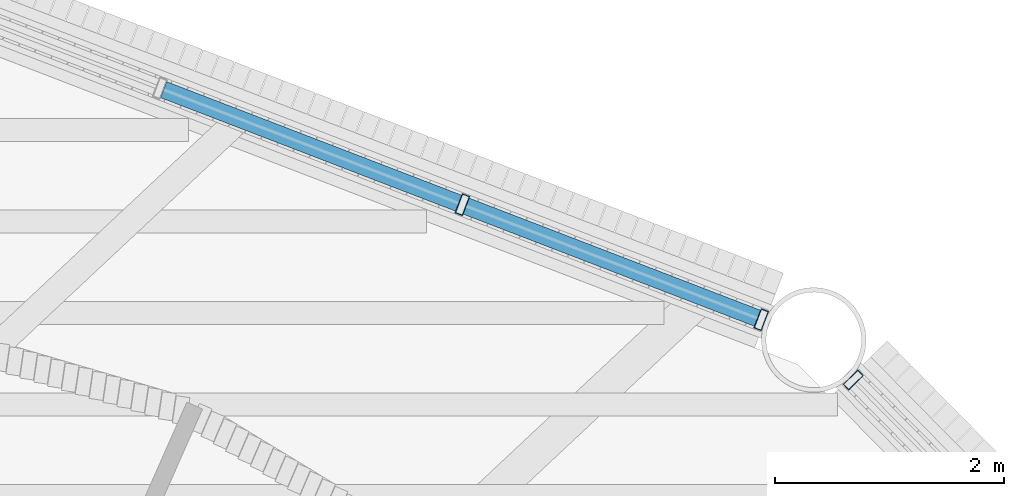
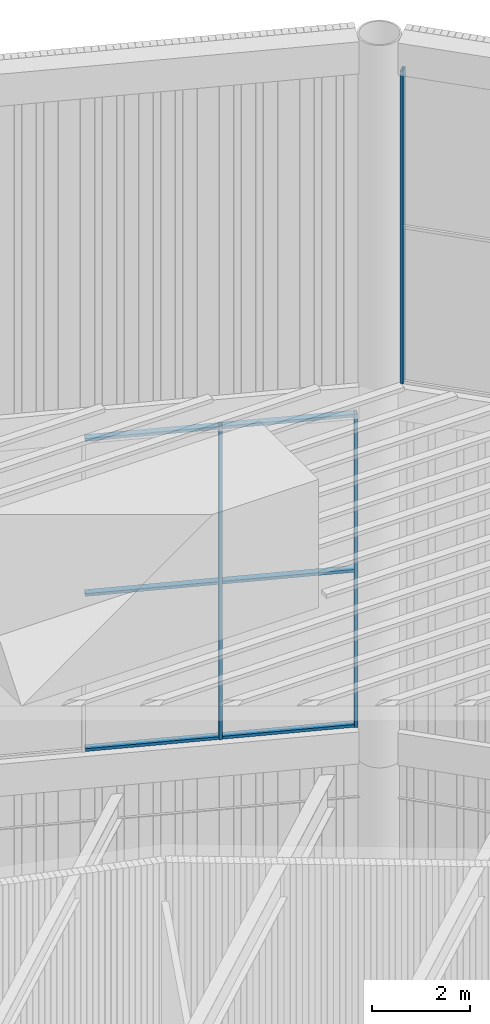
# One storey, part 61 of 117: 9 members, 2 elements without a shape of their own.
"""IFC4 building model written with IfcOpenShell, lengths in metres."""

import ifcopenshell
import ifcopenshell.guid

model = None  # the IFC model being written
_history = None  # IfcOwnerHistory: only IFC2X3 demands one
_inside = {}  # id of a spatial element -> (the spatial element, [elements in it])
_under = {}  # id of a project, library or spatial element -> (it, [spatial elements below it])
_declared = {}  # id of a project -> (the project, [libraries it declares])
_typed = {}  # id of a type object -> (the type object, [elements of that type])
_made_of = {}  # id of a material, layer set ... -> (it, [elements and type objects made of it])


def new_model(schema):
    """Start an empty IFC model of exactly this schema.

    Asked for "IFC4X3", IfcOpenShell would pick the latest addendum, in which some entities
    have other attributes; the version numbers below select the first issue.
    IFC2X3 requires an IfcOwnerHistory on every rooted entity: one is made here for all.
    """
    global model, _history
    if schema == "IFC4X3":
        model = ifcopenshell.file(schema_version=(4, 3, 0, 0))
    else:
        model = ifcopenshell.file(schema=schema)
    _inside.clear()
    _under.clear()
    _declared.clear()
    _typed.clear()
    _made_of.clear()
    _history = None
    if model.schema == "IFC2X3":
        org = make("IfcOrganization", Name="unknown")
        user = make(
            "IfcPersonAndOrganization",
            ThePerson=make("IfcPerson", FamilyName="unknown"),
            TheOrganization=org,
        )
        app = make(
            "IfcApplication",
            ApplicationDeveloper=org,
            Version="unknown",
            ApplicationFullName="unknown",
            ApplicationIdentifier="unknown",
        )
        _history = make(
            "IfcOwnerHistory",
            OwningUser=user,
            OwningApplication=app,
            ChangeAction="ADDED",
            CreationDate=0,
        )
    return model


def make(cls, **values):
    """One entity of the class cls with the attributes given. An attribute that is None is left unset."""
    return model.create_entity(
        cls, **{name: value for name, value in values.items() if value is not None}
    )


def rooted(cls, **values):
    """An entity with a GlobalId (a new one), such as an element, a storey or a relation."""
    return make(cls, GlobalId=ifcopenshell.guid.new(), OwnerHistory=_history, **values)


def si_unit(unit_type, name, prefix=None):
    """IfcSIUnit, for example si_unit("LENGTHUNIT", "METRE", prefix="MILLI")."""
    return make("IfcSIUnit", UnitType=unit_type, Prefix=prefix, Name=name)


def assignment(units):
    """IfcUnitAssignment: the units of a project."""
    return None if units is None else make("IfcUnitAssignment", Units=units)


def point(xyz):
    """IfcCartesianPoint."""
    return None if xyz is None else make("IfcCartesianPoint", Coordinates=xyz)


def direction(xyz):
    """IfcDirection."""
    return None if xyz is None else make("IfcDirection", DirectionRatios=xyz)


def frame(location, z_axis=None, x_axis=None):
    """IfcAxis2Placement3D, a coordinate frame: its origin and axes. An axis left out is left unset."""
    return make(
        "IfcAxis2Placement3D",
        Location=point(location),
        Axis=direction(z_axis),
        RefDirection=direction(x_axis),
    )


def frame_2d(location, x_axis=None):
    """IfcAxis2Placement2D, a coordinate frame in the plane: its origin and x axis."""
    return make(
        "IfcAxis2Placement2D", Location=point(location), RefDirection=direction(x_axis)
    )


def origin():
    """The frame at (0, 0, 0) with its axes left unset."""
    return frame((0.0, 0.0, 0.0))


def origin_2d():
    """The frame at (0, 0) in the plane with its x axis left unset."""
    return frame_2d((0.0, 0.0))


def place(relative_to, where):
    """IfcLocalPlacement: puts the frame where relative to a parent placement (None: the world)."""
    return make(
        "IfcLocalPlacement", PlacementRelTo=relative_to, RelativePlacement=where
    )


def context(
    kind, dimensions, precision=None, world=None, true_north=None, identifier=None
):
    """IfcGeometricRepresentationContext, for example the 3D "Model" context."""
    return make(
        "IfcGeometricRepresentationContext",
        ContextIdentifier=identifier,
        ContextType=kind,
        CoordinateSpaceDimension=dimensions,
        Precision=precision,
        WorldCoordinateSystem=world,
        TrueNorth=true_north,
    )


def subcontext(parent, identifier, kind, view, scale=None):
    """IfcGeometricRepresentationSubContext, for example "Body" below "Model"."""
    return make(
        "IfcGeometricRepresentationSubContext",
        ContextIdentifier=identifier,
        ContextType=kind,
        ParentContext=parent,
        TargetScale=scale,
        TargetView=view,
    )


def project(units=None, contexts=None):
    """IfcProject with its units and contexts."""
    return rooted(
        "IfcProject",
        Name="project",
        RepresentationContexts=contexts,
        UnitsInContext=assignment(units),
    )


def spatial(cls, under=None, at=None, **own):
    """A site, building, storey or space (cls), placed at a placement, below another one or the project."""
    s = rooted(cls, ObjectPlacement=at, **own)
    if under is not None:
        _under.setdefault(under.id(), (under, []))[1].append(s)
    return s


def profile(cls, at=None, kind="AREA", **sizes):
    """A parametric profile (cls). Its sizes go by their IFC names, for example OverallWidth=200.0."""
    return make(cls, ProfileType=kind, Position=at, **sizes)


def hollow_rectangle(**sizes):
    """IfcRectangleHollowProfileDef."""
    return profile("IfcRectangleHollowProfileDef", **sizes)


def extrude(swept, where, along, depth):
    """IfcExtrudedAreaSolid: the profile swept, set in the frame where, extruded along a direction by depth."""
    return make(
        "IfcExtrudedAreaSolid",
        SweptArea=swept,
        Position=where,
        ExtrudedDirection=direction(along),
        Depth=depth,
    )


def shape(context_of_items, identifier, shape_type, items):
    """IfcShapeRepresentation: the items that make up one representation, for example the "Body"."""
    return make(
        "IfcShapeRepresentation",
        ContextOfItems=context_of_items,
        RepresentationIdentifier=identifier,
        RepresentationType=shape_type,
        Items=items,
    )


def material(Name=None, Category=None):
    """IfcMaterial."""
    return make("IfcMaterial", Name=Name, Category=Category)


def layer(
    of_material, thickness, ventilated=None, Name=None, Category=None, Priority=None
):
    """IfcMaterialLayer: one layer of a wall or slab, of a material (None: an air gap)."""
    return make(
        "IfcMaterialLayer",
        Material=of_material,
        LayerThickness=thickness,
        IsVentilated=ventilated,
        Name=Name,
        Category=Category,
        Priority=Priority,
    )


def layer_set(layers, Name=None):
    """IfcMaterialLayerSet."""
    return make("IfcMaterialLayerSet", MaterialLayers=layers, LayerSetName=Name)


def material_profile(
    of_material, cross_section, Name=None, Category=None, Priority=None
):
    """IfcMaterialProfile: a cross section and its material."""
    return make(
        "IfcMaterialProfile",
        Name=Name,
        Material=of_material,
        Profile=cross_section,
        Priority=Priority,
        Category=Category,
    )


def profile_set(profiles, Name=None, composite=None):
    """IfcMaterialProfileSet."""
    return make(
        "IfcMaterialProfileSet",
        Name=Name,
        MaterialProfiles=profiles,
        CompositeProfile=composite,
    )


def made_of(thing, what):
    """Note that an element or type object is made of a material, layer set ...; save() writes the relation."""
    if what is not None:
        _made_of.setdefault(what.id(), (what, []))[1].append(thing)
    return thing


def type_object(cls, material=None, **own):
    """A type object (cls), such as IfcWallType, which elements share."""
    return made_of(rooted(cls, **own), material)


def element(
    cls,
    number,
    at=None,
    inside=None,
    cuts=None,
    type_object=None,
    material=None,
    context=None,
    identifier="Body",
    shape_type=None,
    held_by="IfcProductDefinitionShape",
    body=None,
    shapes=None,
    **own,
):
    """One element of the class cls, such as IfcWall. Its Tag is "e" and its number.

    at: its placement. inside: the storey or other place that contains it. cuts: it is an
    opening in that element (IfcRelVoidsElement). A single representation is given by context,
    identifier, shape_type and body (its items); several are given by shapes. held_by: the class
    of the entity that holds the representations. save() writes the other relations.
    """
    e = rooted(cls, Tag="e%d" % number, ObjectPlacement=at, **own)
    if body is not None:
        shapes = [shape(context, identifier, shape_type, body)]
    if shapes is not None:
        e.Representation = make(held_by, Representations=shapes)
    if inside is not None:
        _inside.setdefault(inside.id(), (inside, []))[1].append(e)
    if cuts is not None:
        rooted(
            "IfcRelVoidsElement", RelatingBuildingElement=cuts, RelatedOpeningElement=e
        )
    if type_object is not None:
        _typed.setdefault(type_object.id(), (type_object, []))[1].append(e)
    return made_of(e, material)


def aggregate(whole, parts):
    """IfcRelAggregates: a whole, such as a stair, and the parts it consists of."""
    return rooted("IfcRelAggregates", RelatingObject=whole, RelatedObjects=parts)


def save(model, path):
    """Write the relations noted so far, then the file.

    IfcRelAggregates (storeys below a building ...), IfcRelContainedInSpatialStructure (elements
    in a storey), IfcRelDefinesByType, IfcRelAssociatesMaterial and IfcRelDeclares: one each for
    every whole, place, type object, material and project.
    """
    for whole, parts in _under.values():
        aggregate(whole, parts)
    for where, things in _inside.values():
        rooted(
            "IfcRelContainedInSpatialStructure",
            RelatedElements=things,
            RelatingStructure=where,
        )
    for kind, things in _typed.values():
        rooted("IfcRelDefinesByType", RelatedObjects=things, RelatingType=kind)
    for what, things in _made_of.values():
        rooted("IfcRelAssociatesMaterial", RelatedObjects=things, RelatingMaterial=what)
    for by, libraries in _declared.values():
        rooted("IfcRelDeclares", RelatingContext=by, RelatedDefinitions=libraries)
    model.write(path)


model = new_model("IFC4")

# Units and contexts
model_context = context("Model", 3, precision=1e-05, world=origin(), true_north=direction((0.0, 1.0)))
body_context = subcontext(model_context, "Body", "Model", "MODEL_VIEW")
ifc_project = project(units=[si_unit("LENGTHUNIT", "METRE"), si_unit("AREAUNIT", "SQUARE_METRE"), si_unit("VOLUMEUNIT", "CUBIC_METRE"), si_unit("PLANEANGLEUNIT", "RADIAN"), si_unit("MASSUNIT", "GRAM", prefix="KILO")], contexts=[model_context])

# Site, building, storey
site_placement = place(None, origin())
site = spatial("IfcSite", under=ifc_project, at=site_placement, CompositionType="ELEMENT")
building_placement = place(site_placement, origin())
building = spatial("IfcBuilding", under=site, at=building_placement, Name="Tarsis Ring Headquarters", CompositionType="ELEMENT")
storey_placement = place(building_placement, frame((0.0, 0.0, 403.60009765625)))
storey = spatial("IfcBuildingStorey", under=building, at=storey_placement, Name="L95", CompositionType="ELEMENT", Elevation=403.60009765625)

# Curtain wall, members
ifc_material_1 = material(Name="Aluminium curtain wall", Category="aluminium")
ifc_layer = layer(ifc_material_1, 0.179931640625)
ifc_layer_set = layer_set([ifc_layer], Name="Curtain wall crown glazing")
curtain_wall_type = type_object("IfcCurtainWallType", Name="Curtain wall crown glazing", PredefinedType="NOTDEFINED", material=ifc_layer_set)
curtain_wall_1_placement = place(storey_placement, origin())
curtain_wall_1 = element("IfcCurtainWall", 1, at=curtain_wall_1_placement, inside=storey, type_object=curtain_wall_type, Name="Crown glazing L9", PredefinedType="NOTDEFINED")
ifc_material_2 = material(Name="Aluminium mullion", Category="aluminium")
ifc_material_profile_1 = material_profile(ifc_material_2, hollow_rectangle(XDim=0.179931640625, YDim=0.070068359375, WallThickness=0.0048828125, at=origin_2d()), Name="RHS 180x70x5")
ifc_profile_set_1 = profile_set([ifc_material_profile_1], Name="Aluminium mullion")
member_type_1 = type_object("IfcMemberType", Name="Crown glazing mullion RHS 180x70x5", PredefinedType="MULLION", material=ifc_profile_set_1)
member_1_placement = place(storey_placement, frame((15.456298828125, 24.477294921875, 5.7998046875), z_axis=(0.0, 0.0, 1.0), x_axis=(-0.359202780717, -0.933259536423, 0.0)))
member_1 = element("IfcMember", 2, at=member_1_placement, type_object=member_type_1, Name="CW-C mullion 1", PredefinedType="MULLION", context=body_context, shape_type="SweptSolid", body=[
    extrude(hollow_rectangle(XDim=0.179931640625, YDim=0.070068359375, WallThickness=0.0048828125, at=origin_2d()), origin(), (0.0, 0.0, 1.0), 7.800048828125),
])
member_2_placement = place(storey_placement, frame((12.84423828125, 25.482666015625, 5.7998046875), z_axis=(0.0, 0.0, 1.0), x_axis=(-0.359202780717, -0.933259536423, 0.0)))
member_2 = element("IfcMember", 3, at=member_2_placement, type_object=member_type_1, Name="CW-C mullion 2", PredefinedType="MULLION", context=body_context, shape_type="SweptSolid", body=[
    extrude(hollow_rectangle(XDim=0.179931640625, YDim=0.070068359375, WallThickness=0.0048828125, at=origin_2d()), origin(), (0.0, 0.0, 1.0), 7.800048828125),
])

# Curtain wall, member
curtain_wall_2_placement = place(storey_placement, origin())
curtain_wall_2 = element("IfcCurtainWall", 4, at=curtain_wall_2_placement, inside=storey, type_object=curtain_wall_type, Name="Crown glazing U8", PredefinedType="NOTDEFINED")
member_3_placement = place(storey_placement, frame((16.260986328125, 23.9501953125, 14.39990234375), z_axis=(0.0, 0.0, 1.0), x_axis=(-0.711949304899, -0.70223086464, 0.0)))
member_3 = element("IfcMember", 5, at=member_3_placement, type_object=member_type_1, Name="CW-C mullion 5", PredefinedType="MULLION", context=body_context, shape_type="SweptSolid", body=[
    extrude(hollow_rectangle(XDim=0.179931640625, YDim=0.070068359375, WallThickness=0.0048828125, at=origin_2d()), origin(), (0.0, 0.0, 1.0), 7.800048828125),
])
aggregate(curtain_wall_2, [member_3])

# Member
ifc_material_3 = material(Name="Aluminium transom", Category="aluminium")
ifc_material_profile_2 = material_profile(ifc_material_3, hollow_rectangle(XDim=0.14990234375, YDim=0.070068359375, WallThickness=0.0048828125, at=origin_2d()), Name="RHS 150x70x5")
ifc_profile_set_2 = profile_set([ifc_material_profile_2], Name="Aluminium transom")
member_type_2 = type_object("IfcMemberType", Name="Crown glazing transom RHS 150x70x5", PredefinedType="USERDEFINED", material=ifc_profile_set_2)
member_4_placement = place(storey_placement, frame((15.423583984375, 24.48974609375, 5.8349609375), z_axis=(-0.933253339094, 0.359218881839, 0.0), x_axis=(-0.359218881839, -0.933253339094, 0.0)))
member_4 = element("IfcMember", 6, at=member_4_placement, type_object=member_type_2, Name="CW-C transom 1.1", ObjectType="TRANSOM", PredefinedType="USERDEFINED", context=body_context, shape_type="SweptSolid", body=[
    extrude(hollow_rectangle(XDim=0.14990234375, YDim=0.070068359375, WallThickness=0.0048828125, at=origin_2d()), origin(), (0.0, 0.0, 1.0), 2.728759765625),
])

member_5_placement = place(storey_placement, frame((15.423583984375, 24.48974609375, 9.699951171875), z_axis=(-0.933253339094, 0.359218881839, 0.0), x_axis=(-0.359218881839, -0.933253339094, 0.0)))
member_5 = element("IfcMember", 7, at=member_5_placement, type_object=member_type_2, Name="CW-C transom 1.2", ObjectType="TRANSOM", PredefinedType="USERDEFINED", context=body_context, shape_type="SweptSolid", body=[
    extrude(hollow_rectangle(XDim=0.14990234375, YDim=0.070068359375, WallThickness=0.0048828125, at=origin_2d()), origin(), (0.0, 0.0, 1.0), 2.728759765625),
])

member_6_placement = place(storey_placement, frame((15.423583984375, 24.48974609375, 13.56494140625), z_axis=(-0.933253339094, 0.359218881839, 0.0), x_axis=(-0.359218881839, -0.933253339094, 0.0)))
member_6 = element("IfcMember", 8, at=member_6_placement, type_object=member_type_2, Name="CW-C transom 1.3", ObjectType="TRANSOM", PredefinedType="USERDEFINED", context=body_context, shape_type="SweptSolid", body=[
    extrude(hollow_rectangle(XDim=0.14990234375, YDim=0.070068359375, WallThickness=0.0048828125, at=origin_2d()), origin(), (0.0, 0.0, 1.0), 2.728759765625),
])

member_7_placement = place(storey_placement, frame((12.811767578125, 25.4951171875, 5.8349609375), z_axis=(-0.933270454578, 0.359174412524, 0.0), x_axis=(-0.359174412524, -0.933270454578, 0.0)))
member_7 = element("IfcMember", 9, at=member_7_placement, type_object=member_type_2, Name="CW-C transom 2.1", ObjectType="TRANSOM", PredefinedType="USERDEFINED", context=body_context, shape_type="SweptSolid", body=[
    extrude(hollow_rectangle(XDim=0.14990234375, YDim=0.070068359375, WallThickness=0.0048828125, at=origin_2d()), origin(), (0.0, 0.0, 1.0), 2.763671875),
])

member_8_placement = place(storey_placement, frame((12.811767578125, 25.4951171875, 9.699951171875), z_axis=(-0.933270454578, 0.359174412524, 0.0), x_axis=(-0.359174412524, -0.933270454578, 0.0)))
member_8 = element("IfcMember", 10, at=member_8_placement, type_object=member_type_2, Name="CW-C transom 2.2", ObjectType="TRANSOM", PredefinedType="USERDEFINED", context=body_context, shape_type="SweptSolid", body=[
    extrude(hollow_rectangle(XDim=0.14990234375, YDim=0.070068359375, WallThickness=0.0048828125, at=origin_2d()), origin(), (0.0, 0.0, 1.0), 2.763671875),
])

member_9_placement = place(storey_placement, frame((12.811767578125, 25.4951171875, 13.56494140625), z_axis=(-0.933270454578, 0.359174412524, 0.0), x_axis=(-0.359174412524, -0.933270454578, 0.0)))
member_9 = element("IfcMember", 11, at=member_9_placement, type_object=member_type_2, Name="CW-C transom 2.3", ObjectType="TRANSOM", PredefinedType="USERDEFINED", context=body_context, shape_type="SweptSolid", body=[
    extrude(hollow_rectangle(XDim=0.14990234375, YDim=0.070068359375, WallThickness=0.0048828125, at=origin_2d()), origin(), (0.0, 0.0, 1.0), 2.763671875),
])

aggregate(curtain_wall_1, [member_1, member_2, member_4, member_5, member_6, member_7, member_8, member_9])

save(model, "model.ifc")
